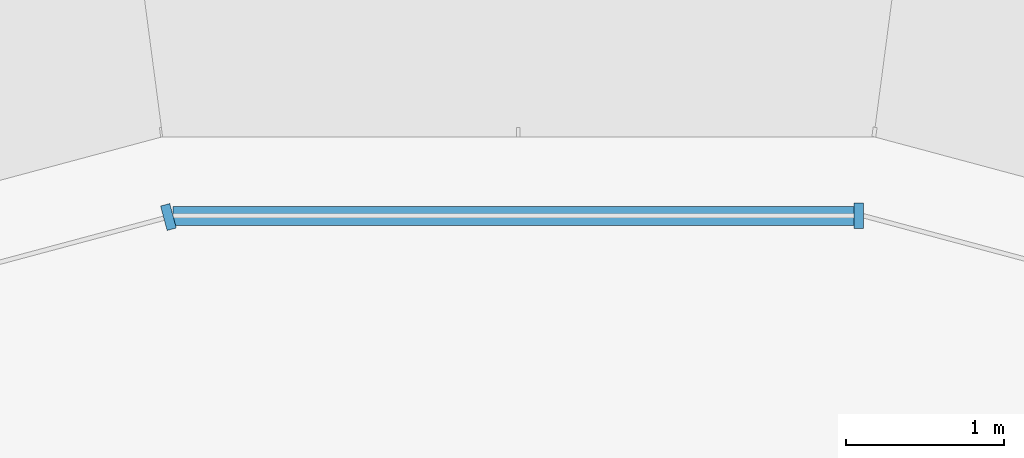
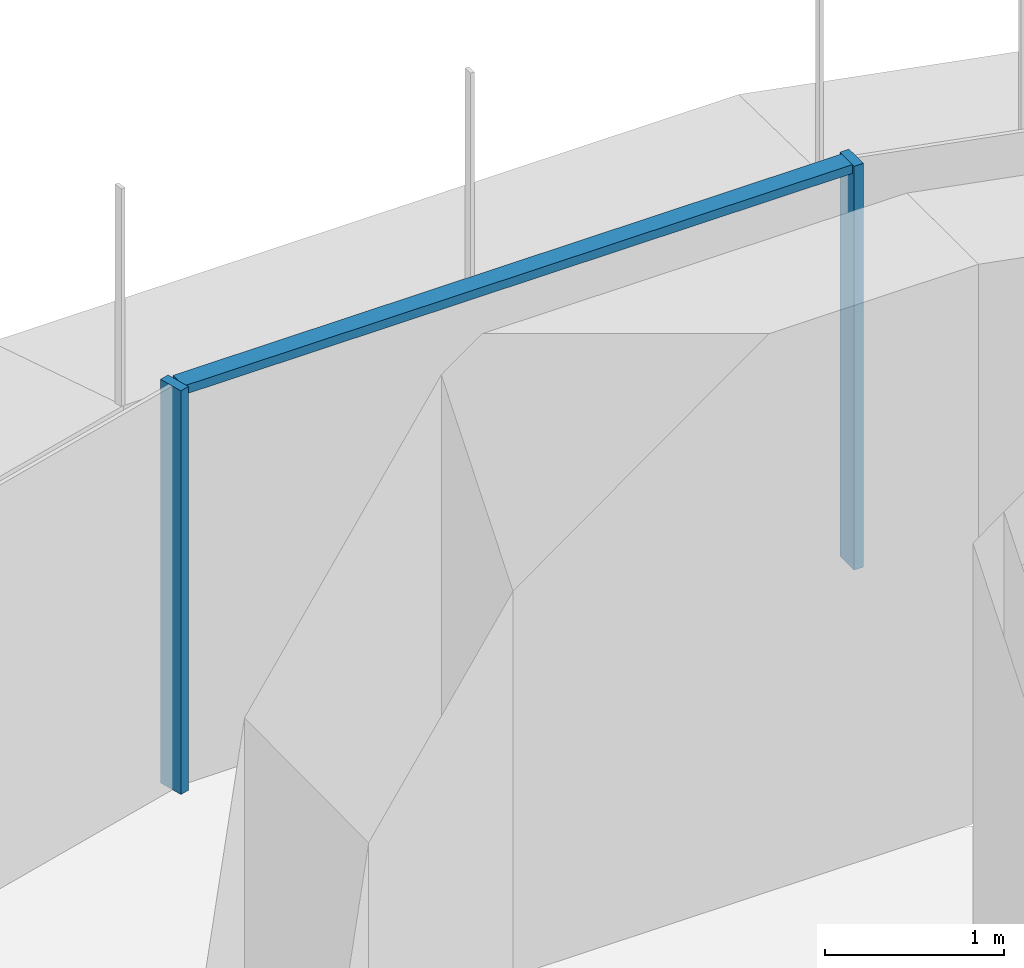
# One storey, part 11 of 22: 3 members, 2 elements without a shape of their own.
"""IFC4 building model written with IfcOpenShell, lengths in metres."""

from ifc_helpers import new_model, si_unit, direction, frame, origin, place, context, subcontext, project, spatial, polyline, outline, extrude, source, transform, mapped, material, type_object, element, aggregate, save


model = new_model("IFC4")

# Units and contexts
model_context = context("Model", 3, precision=1e-05, world=origin(), true_north=direction((0.0, 1.0)))
body_context = subcontext(model_context, "Body", "Model", "MODEL_VIEW")
ifc_project = project(units=[si_unit("LENGTHUNIT", "METRE"), si_unit("AREAUNIT", "SQUARE_METRE"), si_unit("VOLUMEUNIT", "CUBIC_METRE"), si_unit("PLANEANGLEUNIT", "RADIAN"), si_unit("MASSUNIT", "GRAM", prefix="KILO")], contexts=[model_context])

# Site, building, storey
site_placement = place(None, origin())
site = spatial("IfcSite", under=ifc_project, at=site_placement, CompositionType="ELEMENT")
building_placement = place(site_placement, origin())
building = spatial("IfcBuilding", under=site, at=building_placement, Name="Zarbagh Exchange Tower", CompositionType="ELEMENT")
storey_placement = place(building_placement, frame((0.0, 0.0, 124.60009765625)))
storey = spatial("IfcBuildingStorey", under=building, at=storey_placement, Name="L29", CompositionType="ELEMENT", Elevation=124.60009765625)

# Curtain wall, member
ifc_material_1 = material(Name="Anodised aluminium frame and glazing", Category="aluminium")
curtain_wall_type = type_object("IfcCurtainWallType", Name="CWA Ribbon glazing, lower zones", PredefinedType="NOTDEFINED", material=ifc_material_1)
curtain_wall_1_placement = place(storey_placement, origin())
curtain_wall_1 = element("IfcCurtainWall", 1, at=curtain_wall_1_placement, inside=storey, type_object=curtain_wall_type, Name="CWA57 curtain wall", PredefinedType="NOTDEFINED")
ifc_material_2 = material(Name="Anodised aluminium frame", Category="aluminium")
member_type_1 = type_object("IfcMemberType", Name="MUA Mullion, anodised aluminium frame", PredefinedType="MULLION", material=ifc_material_2)
shared_shape_1 = source(origin(), body_context, "Body", "SweptSolid", [
    extrude(outline(polyline([(0.0, -0.080078125), (0.06005859375, -0.080078125), (0.06005859375, 0.080078125), (0.0, 0.080078125), (0.0, -0.080078125)])), origin(), (0.0, 0.0, 1.0), 2.75),
])
placement = place(storey_placement, origin())
member_1 = element("IfcMember", 2, at=placement, type_object=member_type_1, Name="CWA57 mullion 1.1", PredefinedType="MULLION", context=body_context, shape_type="MappedRepresentation", body=[
    mapped(shared_shape_1, transform((2.18408203125, 31.0, 0.0), x_axis=(-1.0, 0.0, 0.0), y_axis=(0.0, -1.0, 0.0), z_axis=(0.0, 0.0, 1.0))),
])

curtain_wall_2_placement = place(storey_placement, origin())
curtain_wall_2 = element("IfcCurtainWall", 3, at=curtain_wall_2_placement, inside=storey, type_object=curtain_wall_type, Name="CWA53 curtain wall", PredefinedType="NOTDEFINED")
member_2 = element("IfcMember", 4, at=placement, type_object=member_type_1, Name="CWA53 mullion 1.1", PredefinedType="MULLION", context=body_context, shape_type="MappedRepresentation", body=[
    mapped(shared_shape_1, transform((-2.18408203125, 31.0, 0.0), x_axis=(-0.965924289636, -0.258824779902, 0.0), y_axis=(0.258824779902, -0.965924289636, 0.0), z_axis=(0.0, 0.0, 1.0))),
])
aggregate(curtain_wall_2, [member_2])

# Member
member_type_2 = type_object("IfcMemberType", Name="TRA Transom, anodised aluminium frame", PredefinedType="USERDEFINED", material=ifc_material_2)
shared_shape_2 = source(origin(), body_context, "Body", "SweptSolid", [
    extrude(outline(polyline([(-0.06005859375, -0.06005859375), (0.0, -0.06005859375), (0.0, 0.06005859375), (-0.06005859375, 0.06005859375), (-0.06005859375, -0.06005859375)])), origin(), (0.0, 0.0, 1.0), 4.308349609375),
])
member_3 = element("IfcMember", 5, at=placement, type_object=member_type_2, Name="CWA57 transom 1.1", ObjectType="TRANSOM", PredefinedType="USERDEFINED", context=body_context, shape_type="MappedRepresentation", body=[
    mapped(shared_shape_2, transform((2.124267578125, 31.0, 2.75), x_axis=(0.0, 0.0, 1.0), y_axis=(0.0, 1.0, 0.0), z_axis=(-1.0, 0.0, 0.0))),
])

aggregate(curtain_wall_1, [member_1, member_3])

save(model, "model.ifc")
